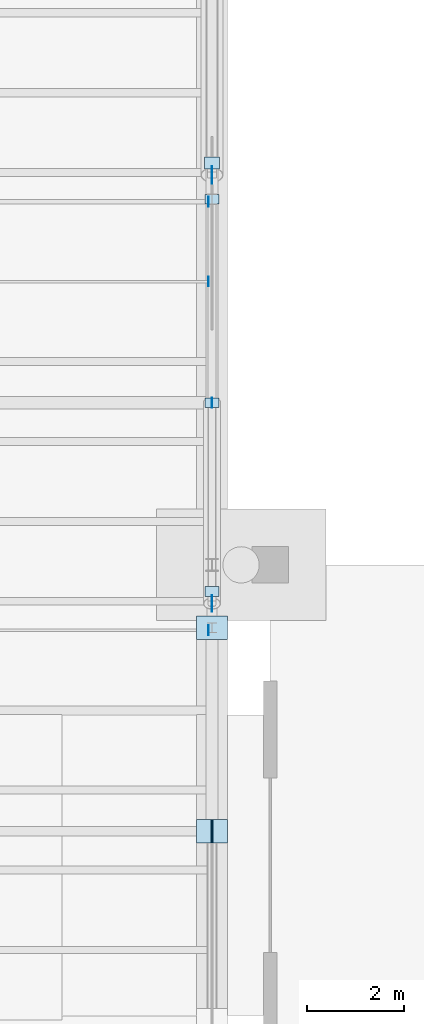
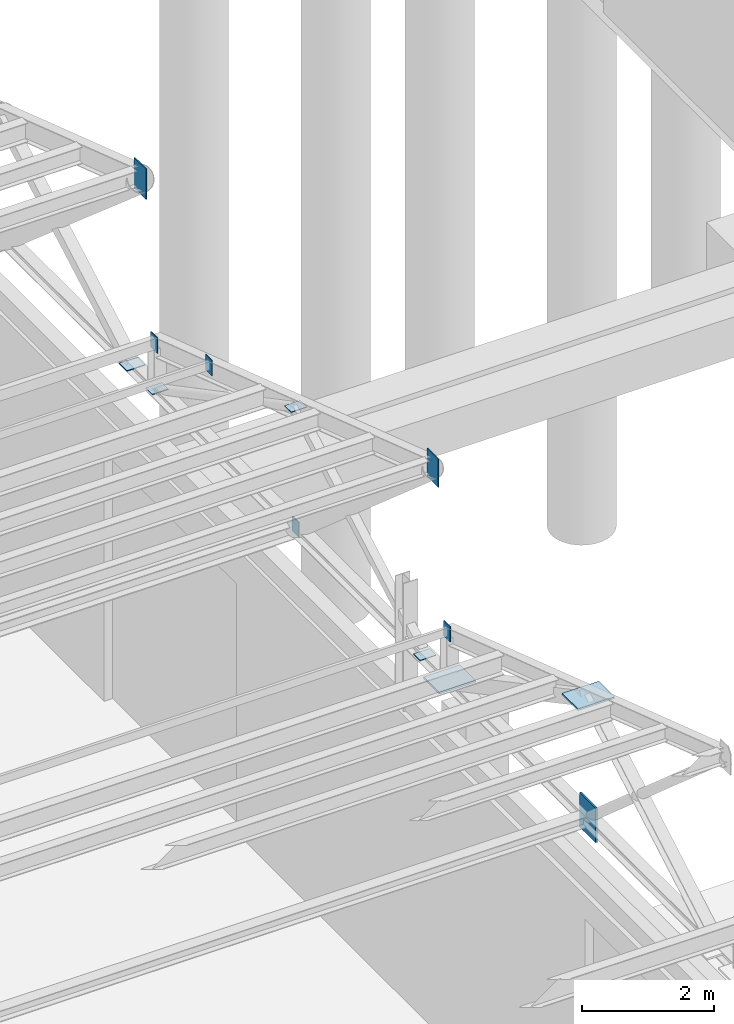
# One storey, part 231 of 285: 13 plates.
"""IFC4 building model written with IfcOpenShell, lengths in metres."""

from ifc_helpers import new_model, si_unit, direction, frame, origin, origin_2d, place, context, subcontext, project, spatial, rectangle, extrude, material, layer, layer_set, type_object, element, save


model = new_model("IFC4")

# Units and contexts
model_context = context("Model", 3, precision=1e-05, world=origin(), true_north=direction((0.0, 1.0)))
body_context = subcontext(model_context, "Body", "Model", "MODEL_VIEW")
ifc_project = project(units=[si_unit("LENGTHUNIT", "METRE"), si_unit("AREAUNIT", "SQUARE_METRE"), si_unit("VOLUMEUNIT", "CUBIC_METRE"), si_unit("PLANEANGLEUNIT", "RADIAN"), si_unit("MASSUNIT", "GRAM", prefix="KILO")], contexts=[model_context])

# Site, building, storey
site_placement = place(None, origin())
site = spatial("IfcSite", under=ifc_project, at=site_placement, CompositionType="ELEMENT")
building_placement = place(site_placement, origin())
building = spatial("IfcBuilding", under=site, at=building_placement, Name="Solanera Park Tramway Depot", CompositionType="ELEMENT")
storey_placement = place(building_placement, origin())
storey = spatial("IfcBuildingStorey", under=building, at=storey_placement, Name="L00", CompositionType="ELEMENT", Elevation=0.0)

# Plates
ifc_material_1 = material(Name="Steel AS/NZS 3679.1 Grade 350", Category="steel")
ifc_layer_1 = layer(ifc_material_1, 0.013916015625)
ifc_layer_set_1 = layer_set([ifc_layer_1], Name="Steel AS/NZS 3679.1 Grade 350")
plate_type_1 = type_object("IfcPlateType", Name="Hollow End Cap and Base Plate 280x200x14", PredefinedType="USERDEFINED", material=ifc_layer_set_1)
for number, where, z_axis, x_axis, name in (
    (1, (149.927978515625, 99.449951171875, 7.30615234375), (0.0, 0.0, 1.0), (1.0, 0.0, 0.0), "Hollow Section Welded End Cap Plate #0500"),
    (2, (150.0, 104.14990234375, 6.35986328125), (0.0, 0.0, 1.0), (1.0, 0.0, 0.0), "Sawtooth Truss Hollow End Cap #0568"),
):
    element("IfcPlate", number, at=place(storey_placement, frame(where, z_axis=z_axis, x_axis=x_axis)), inside=storey, type_object=plate_type_1, Name=name, ObjectType="BASE PLATE", PredefinedType="USERDEFINED", context=body_context, shape_type="SweptSolid", body=[
        extrude(rectangle(XDim=0.013916015625, YDim=0.199951171875, at=origin_2d()), origin(), (0.0, 0.0, 1.0), 0.280029296875),
    ])
for number, where, z_axis, x_axis, name in (
    (3, (150.0, 108.35009765625, 6.4931640625), (0.0, 0.0, 1.0), (1.0, 0.0, 0.0), "Sawtooth Truss Node Cap Plate #0569"),
    (4, (150.0, 104.14990234375, 8.71142578125), (0.0, 0.0, 1.0), (1.0, 0.0, 0.0), "Sawtooth Truss Node Cap Plate #0570"),
    (5, (150.0, 100.25, 6.4931640625), (0.0, 0.0, 1.0), (1.0, 0.0, 0.0), "Sawtooth Truss Node Cap Plate #0571"),
):
    element("IfcPlate", number, at=place(storey_placement, frame(where, z_axis=z_axis, x_axis=x_axis)), inside=storey, type_object=plate_type_1, Name=name, ObjectType="BASE PLATE", PredefinedType="USERDEFINED", context=body_context, shape_type="SweptSolid", body=[
        extrude(rectangle(XDim=0.280029296875, YDim=0.199951171875, at=origin_2d()), origin(), (0.0, 0.0, 1.0), 0.013916015625),
    ])
for number, where, z_axis, x_axis, name in (
    (6, (149.92529296875, 106.64990234375, 7.8583984375), (0.0, 0.0, 1.0), (1.0, 0.0, 0.0), "Hollow Section Welded End Cap Plate #0591"),
    (7, (149.92529296875, 108.300048828125, 7.27294921875), (0.0, 0.0, 1.0), (1.0, 0.0, 0.0), "Hollow Section Welded End Cap Plate #0611"),
):
    element("IfcPlate", number, at=place(storey_placement, frame(where, z_axis=z_axis, x_axis=x_axis)), inside=storey, type_object=plate_type_1, Name=name, ObjectType="BASE PLATE", PredefinedType="USERDEFINED", context=body_context, shape_type="SweptSolid", body=[
        extrude(rectangle(XDim=0.013916015625, YDim=0.199951171875, at=origin_2d()), origin(), (0.0, 0.0, 1.0), 0.280029296875),
    ])
ifc_material_2 = material(Name="Steel AS/NZS 3679.1 Grade 350", Category="steel")
ifc_layer_2 = layer(ifc_material_2, 0.01611328125)
ifc_layer_set_2 = layer_set([ifc_layer_2], Name="Steel AS/NZS 3679.1 Grade 350")
plate_type_2 = type_object("IfcPlateType", Name="Hollow End Cap and Base Plate 320x240x16", PredefinedType="USERDEFINED", material=ifc_layer_set_2)
plate_1_placement = place(storey_placement, frame((150.0, 109.10009765625, 6.491943359375), z_axis=(0.0, 0.0, 1.0), x_axis=(1.0, 0.0, 0.0)))
element("IfcPlate", 8, at=plate_1_placement, inside=storey, type_object=plate_type_2, Name="Sawtooth Truss Node Cap Plate #0682", ObjectType="BASE PLATE", PredefinedType="USERDEFINED", context=body_context, shape_type="SweptSolid", body=[
    extrude(rectangle(XDim=0.320068359375, YDim=0.239990234375, at=origin_2d()), origin(), (0.0, 0.0, 1.0), 0.01611328125),
])
ifc_material_3 = material(Name="Steel AS/NZS 3679.1 Grade 350", Category="steel")
ifc_layer_3 = layer(ifc_material_3, 0.031982421875)
ifc_layer_set_3 = layer_set([ifc_layer_3], Name="Steel AS/NZS 3679.1 Grade 350")
plate_type_3 = type_object("IfcPlateType", Name="Hollow End Cap and Base Plate 640x480x32", PredefinedType="USERDEFINED", material=ifc_layer_set_3)
plate_2_placement = place(storey_placement, frame((150.0, 95.300048828125, 6.18017578125), z_axis=(0.0, 0.0, 1.0), x_axis=(1.0, 0.0, 0.0)))
element("IfcPlate", 9, at=plate_2_placement, inside=storey, type_object=plate_type_3, Name="Sawtooth Truss Hollow End Cap #0477", ObjectType="BASE PLATE", PredefinedType="USERDEFINED", context=body_context, shape_type="SweptSolid", body=[
    extrude(rectangle(XDim=0.031982421875, YDim=0.47998046875, at=origin_2d()), origin(), (0.0, 0.0, 1.0), 0.639892578125),
])
for number, where, z_axis, x_axis, name in (
    (10, (150.0, 99.5, 6.48388671875), (0.0, 0.0, 1.0), (1.0, 0.0, 0.0), "Sawtooth Truss Node Cap Plate #0478"),
    (11, (150.0, 95.300048828125, 8.7265625), (0.0, 0.0, 1.0), (1.0, 0.0, 0.0), "Sawtooth Truss Node Cap Plate #0479"),
):
    element("IfcPlate", number, at=place(storey_placement, frame(where, z_axis=z_axis, x_axis=x_axis)), inside=storey, type_object=plate_type_3, Name=name, ObjectType="BASE PLATE", PredefinedType="USERDEFINED", context=body_context, shape_type="SweptSolid", body=[
        extrude(rectangle(XDim=0.639892578125, YDim=0.47998046875, at=origin_2d()), origin(), (0.0, 0.0, 1.0), 0.031982421875),
    ])
ifc_material_4 = material(Name="Steel AS/NZS 3679.1 Grade 350", Category="steel")
ifc_layer_4 = layer(ifc_material_4, 0.01806640625)
ifc_layer_set_4 = layer_set([ifc_layer_4], Name="Steel AS/NZS 3679.1 Grade 350")
plate_type_4 = type_object("IfcPlateType", Name="Truss Node Gusset Stiffener 520x340x18", PredefinedType="SHEET", material=ifc_layer_set_4)
plate_3_placement = place(storey_placement, frame((150.0, 100.0, 9.846923828125), z_axis=(0.0, 0.0, 1.0), x_axis=(1.0, 0.0, 0.0)))
element("IfcPlate", 12, at=plate_3_placement, inside=storey, type_object=plate_type_4, Name="Sawtooth Truss Apex Gusset Plate #0567", PredefinedType="SHEET", context=body_context, shape_type="SweptSolid", body=[
    extrude(rectangle(XDim=0.01806640625, YDim=0.340087890625, at=origin_2d()), origin(), (0.0, 0.0, 1.0), 0.52001953125),
])
ifc_material_5 = material(Name="Steel AS/NZS 3679.1 Grade 350", Category="steel")
ifc_layer_5 = layer(ifc_material_5, 0.02001953125)
ifc_layer_set_5 = layer_set([ifc_layer_5], Name="Steel AS/NZS 3679.1 Grade 350")
plate_type_5 = type_object("IfcPlateType", Name="Truss Node Gusset Stiffener 560x360x20", PredefinedType="SHEET", material=ifc_layer_set_5)
plate_4_placement = place(storey_placement, frame((150.0, 108.85009765625, 9.801513671875), z_axis=(0.0, 0.0, 1.0), x_axis=(1.0, 0.0, 0.0)))
element("IfcPlate", 13, at=plate_4_placement, inside=storey, type_object=plate_type_5, Name="Sawtooth Truss Apex Gusset Plate #0678", PredefinedType="SHEET", context=body_context, shape_type="SweptSolid", body=[
    extrude(rectangle(XDim=0.02001953125, YDim=0.360107421875, at=origin_2d()), origin(), (0.0, 0.0, 1.0), 0.56005859375),
])

save(model, "model.ifc")
